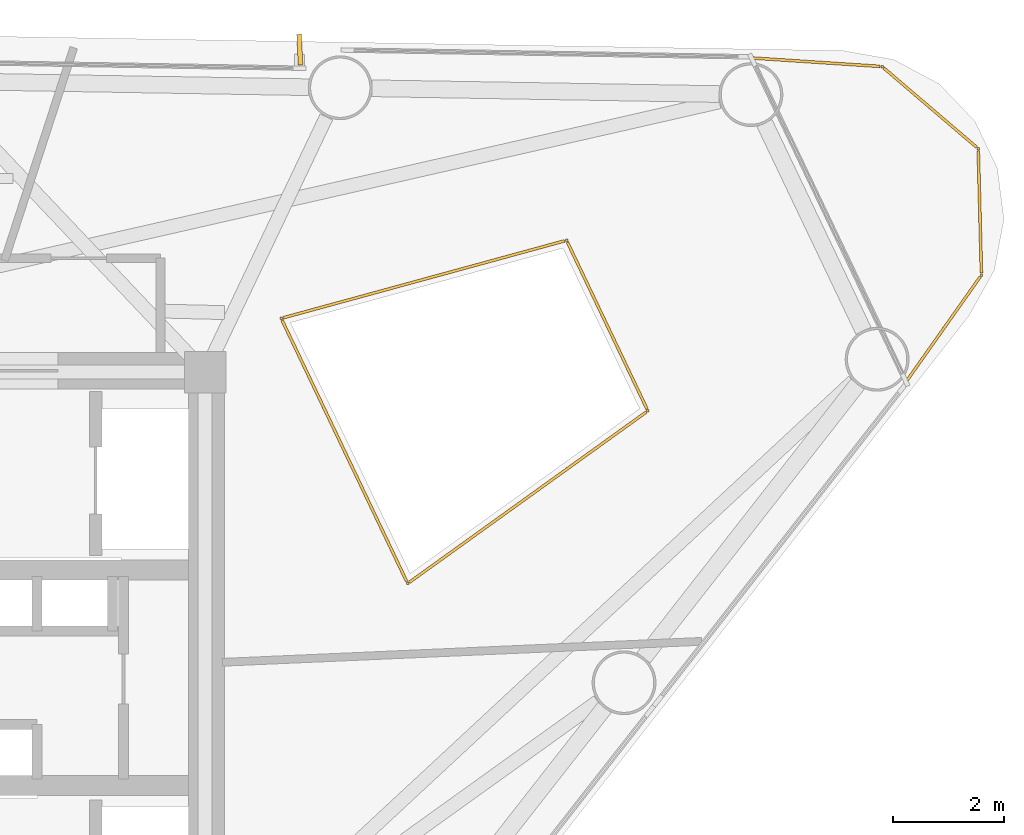
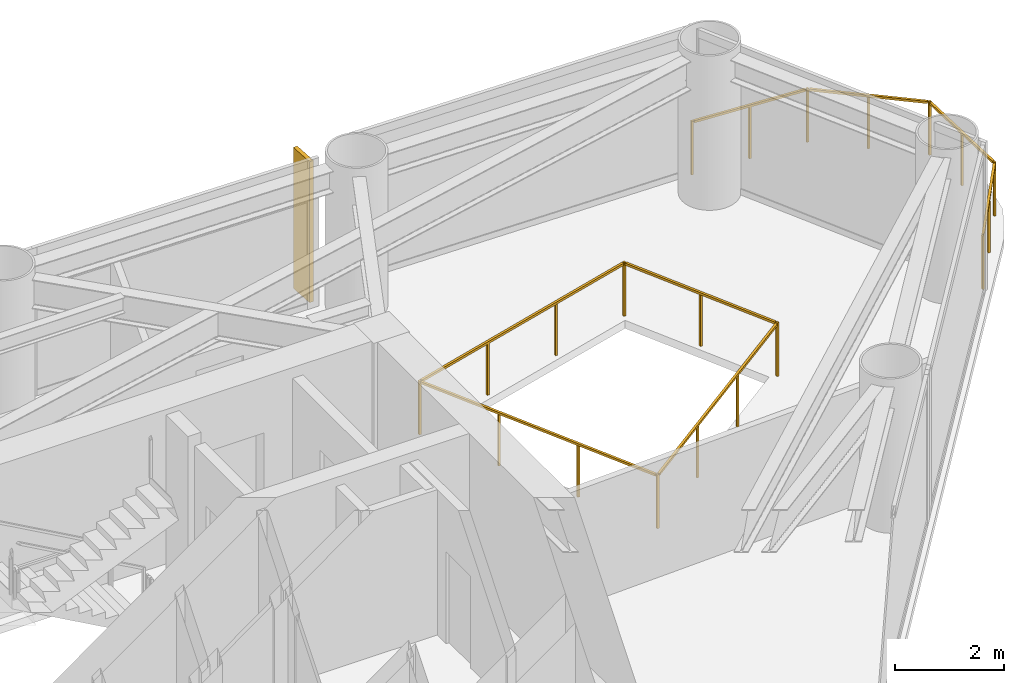
# One storey, part 9 of 9: 2 railings, 1 shading device.
"""IFC4 building model written with IfcOpenShell, lengths in metres."""

from ifc_helpers import new_model, si_unit, direction, frame, origin, origin_2d, place, context, subcontext, project, spatial, rectangle, extrude, source, transform, mapped, material, material_profile, profile_set, type_object, element, save


model = new_model("IFC4")

# Units and contexts
model_context = context("Model", 3, precision=1e-05, world=origin(), true_north=direction((0.0, 1.0)))
body_context = subcontext(model_context, "Body", "Model", "MODEL_VIEW")
ifc_project = project(units=[si_unit("LENGTHUNIT", "METRE"), si_unit("AREAUNIT", "SQUARE_METRE"), si_unit("VOLUMEUNIT", "CUBIC_METRE"), si_unit("PLANEANGLEUNIT", "RADIAN"), si_unit("MASSUNIT", "GRAM", prefix="KILO")], contexts=[model_context])

# Site, building, storey
site_placement = place(None, origin())
site = spatial("IfcSite", under=ifc_project, at=site_placement, CompositionType="ELEMENT")
building_placement = place(site_placement, origin())
building = spatial("IfcBuilding", under=site, at=building_placement, Name="Yunling Apex Tower", CompositionType="ELEMENT")
storey_placement = place(building_placement, frame((0.0, 0.0, 205.25)))
storey = spatial("IfcBuildingStorey", under=building, at=storey_placement, Name="L50", CompositionType="ELEMENT", Elevation=205.25)

# Railings
ifc_material = material(Name="Bronze anodised aluminium", Category="aluminium")
railing_type = type_object("IfcRailingType", Name="RL-BAL-1200", PredefinedType="BALUSTRADE", material=ifc_material)
railing_1_placement = place(storey_placement, frame((15.8828125, 11.15380859375, 0.0)))
element("IfcRailing", 1, at=railing_1_placement, inside=storey, type_object=railing_type, Name="RL-CRNSILL-L50-1", PredefinedType="BALUSTRADE", context=body_context, shape_type="SweptSolid", body=[
    extrude(rectangle(XDim=0.0439453125, YDim=0.0439453125, at=origin_2d()), origin(), (0.0, 0.0, 1.0), 1.199951171875),
    extrude(rectangle(XDim=0.0439453125, YDim=0.0439453125, at=origin_2d()), frame((2.349365234375, -0.154541015625, 0.0)), (0.0, 0.0, 1.0), 1.199951171875),
    extrude(rectangle(XDim=0.050048828125, YDim=0.050048828125, at=origin_2d()), frame((0.038330078125, -0.00244140625, 1.1748046875), z_axis=(0.997843498088, -0.065638047832, 0.0), x_axis=(0.065638047832, 0.997843498088, 0.0)), (0.0, 0.0, 1.0), 2.27783203125),
    extrude(rectangle(XDim=0.0439453125, YDim=0.0439453125, at=origin_2d()), frame((1.1748046875, -0.0771484375, 0.0)), (0.0, 0.0, 1.0), 1.14599609375),
    extrude(rectangle(XDim=0.0439453125, YDim=0.0439453125, at=origin_2d()), frame((4.080322265625, -1.6318359375, 0.0)), (0.0, 0.0, 1.0), 1.199951171875),
    extrude(rectangle(XDim=0.050048828125, YDim=0.050048828125, at=origin_2d()), frame((2.37841796875, -0.179443359375, 1.1748046875), z_axis=(0.760640732553, -0.6491730709, 0.0), x_axis=(0.6491730709, 0.760640732553, 0.0)), (0.0, 0.0, 1.0), 2.198974609375),
    extrude(rectangle(XDim=0.0439453125, YDim=0.0439453125, at=origin_2d()), frame((3.21484375, -0.89306640625, 0.0)), (0.0, 0.0, 1.0), 1.14599609375),
    extrude(rectangle(XDim=0.0439453125, YDim=0.0439453125, at=origin_2d()), frame((4.138916015625, -3.90673828125, 0.0)), (0.0, 0.0, 1.0), 1.199951171875),
    extrude(rectangle(XDim=0.050048828125, YDim=0.050048828125, at=origin_2d()), frame((4.081298828125, -1.670166015625, 1.1748046875), z_axis=(0.025748060881, -0.999668463722, 0.0), x_axis=(0.999668463722, 0.025748060881, 0.0)), (0.0, 0.0, 1.0), 2.198974609375),
    extrude(rectangle(XDim=0.0439453125, YDim=0.0439453125, at=origin_2d()), frame((4.109619140625, -2.769287109375, 0.0)), (0.0, 0.0, 1.0), 1.14599609375),
    extrude(rectangle(XDim=0.0439453125, YDim=0.0439453125, at=origin_2d()), frame((2.78076171875, -5.829833984375, 0.0)), (0.0, 0.0, 1.0), 1.199951171875),
    extrude(rectangle(XDim=0.050048828125, YDim=0.050048828125, at=origin_2d()), frame((4.11669921875, -3.93798828125, 1.1748046875), z_axis=(-0.57687453298, -0.81683276942, 0.0), x_axis=(0.81683276942, -0.57687453298, 0.0)), (0.0, 0.0, 1.0), 2.277587890625),
    extrude(rectangle(XDim=0.0439453125, YDim=0.0439453125, at=origin_2d()), frame((3.4599609375, -4.8681640625, 0.0)), (0.0, 0.0, 1.0), 1.14599609375),
])
railing_2_placement = place(storey_placement, frame((7.41845703125, 6.46728515625, 0.0)))
element("IfcRailing", 2, at=railing_2_placement, inside=storey, type_object=railing_type, Name="RL-TATR-L50", PredefinedType="BALUSTRADE", context=body_context, shape_type="SweptSolid", body=[
    extrude(rectangle(XDim=0.0439453125, YDim=0.0439453125, at=origin_2d()), origin(), (0.0, 0.0, 1.0), 1.199951171875),
    extrude(rectangle(XDim=0.0439453125, YDim=0.0439453125, at=origin_2d()), frame((5.135498046875, 1.404541015625, 0.0)), (0.0, 0.0, 1.0), 1.199951171875),
    extrude(rectangle(XDim=0.050048828125, YDim=0.050048828125, at=origin_2d()), frame((0.036865234375, 0.010009765625, 1.1748046875), z_axis=(0.964575212807, 0.263807996162, 0.0), x_axis=(-0.263807996162, 0.964575212807, 0.0)), (0.0, 0.0, 1.0), 5.24755859375),
    extrude(rectangle(XDim=0.0439453125, YDim=0.0439453125, at=origin_2d()), frame((1.7119140625, 0.46826171875, 0.0)), (0.0, 0.0, 1.0), 1.14599609375),
    extrude(rectangle(XDim=0.0439453125, YDim=0.0439453125, at=origin_2d()), frame((3.423583984375, 0.936279296875, 0.0)), (0.0, 0.0, 1.0), 1.14599609375),
    extrude(rectangle(XDim=0.0439453125, YDim=0.0439453125, at=origin_2d()), frame((6.599609375, -1.664794921875, 0.0)), (0.0, 0.0, 1.0), 1.199951171875),
    extrude(rectangle(XDim=0.050048828125, YDim=0.050048828125, at=origin_2d()), frame((5.152099609375, 1.369873046875, 1.1748046875), z_axis=(0.430538211034, -0.902572351028, 0.0), x_axis=(0.902572351028, 0.430538211034, 0.0)), (0.0, 0.0, 1.0), 3.323974609375),
    extrude(rectangle(XDim=0.0439453125, YDim=0.0439453125, at=origin_2d()), frame((5.86767578125, -0.130126953125, 0.0)), (0.0, 0.0, 1.0), 1.14599609375),
    extrude(rectangle(XDim=0.0439453125, YDim=0.0439453125, at=origin_2d()), frame((2.276123046875, -4.77197265625, 0.0)), (0.0, 0.0, 1.0), 1.199951171875),
    extrude(rectangle(XDim=0.050048828125, YDim=0.050048828125, at=origin_2d()), frame((6.568603515625, -1.687255859375, 1.1748046875), z_axis=(-0.812044572196, -0.583595418733, 0.0), x_axis=(0.583595418733, -0.812044572196, 0.0)), (0.0, 0.0, 1.0), 5.24755859375),
    extrude(rectangle(XDim=0.0439453125, YDim=0.0439453125, at=origin_2d()), frame((5.158447265625, -2.700439453125, 0.0)), (0.0, 0.0, 1.0), 1.14599609375),
    extrude(rectangle(XDim=0.0439453125, YDim=0.0439453125, at=origin_2d()), frame((3.71728515625, -3.736328125, 0.0)), (0.0, 0.0, 1.0), 1.14599609375),
    extrude(rectangle(XDim=0.050048828125, YDim=0.050048828125, at=origin_2d()), frame((2.259521484375, -4.7373046875, 1.1748046875), z_axis=(-0.430512460038, 0.902584634121, 0.0), x_axis=(-0.902584634121, -0.430512460038, 0.0)), (0.0, 0.0, 1.0), 5.21044921875),
    extrude(rectangle(XDim=0.0439453125, YDim=0.0439453125, at=origin_2d()), frame((1.517333984375, -3.181396484375, 0.0)), (0.0, 0.0, 1.0), 1.14599609375),
    extrude(rectangle(XDim=0.0439453125, YDim=0.0439453125, at=origin_2d()), frame((0.7587890625, -1.590576171875, 0.0)), (0.0, 0.0, 1.0), 1.14599609375),
])

# Shading device
ifc_material_profile = material_profile(ifc_material, rectangle(XDim=0.0849609375, YDim=0.550048828125, at=origin_2d()))
ifc_profile_set = profile_set([ifc_material_profile], Name="Bronze anodised aluminium")
shading_device_type = type_object("IfcShadingDeviceType", Name="FN-BRZ-3", PredefinedType="USERDEFINED", material=ifc_profile_set)
shared_shape = source(origin(), body_context, "Body", "SweptSolid", [
    extrude(rectangle(XDim=0.0849609375, YDim=0.550048828125, at=origin_2d()), origin(), (0.0, 0.0, 1.0), 3.14990234375),
])
shading_device_placement = place(storey_placement, frame((7.75341796875, 11.30517578125, 0.06005859375), z_axis=(0.0, 0.0, 1.0), x_axis=(-0.998814648022, -0.048675444496, 0.0)))
element("IfcShadingDevice", 3, at=shading_device_placement, inside=storey, type_object=shading_device_type, Name="CW-L50-F2-B2-FIN-01", ObjectType="FIN", PredefinedType="USERDEFINED", context=body_context, shape_type="MappedRepresentation", body=[
    mapped(shared_shape, transform((0.0, 0.0, 0.0), scale=1.0)),
])

save(model, "model.ifc")
